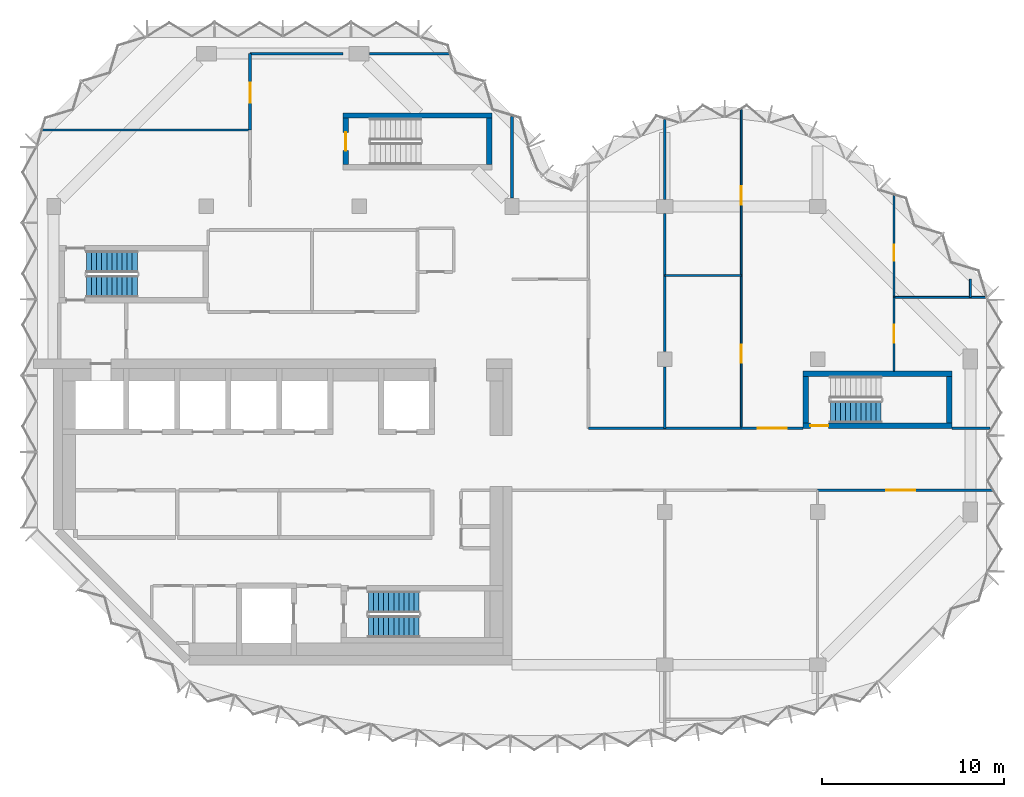
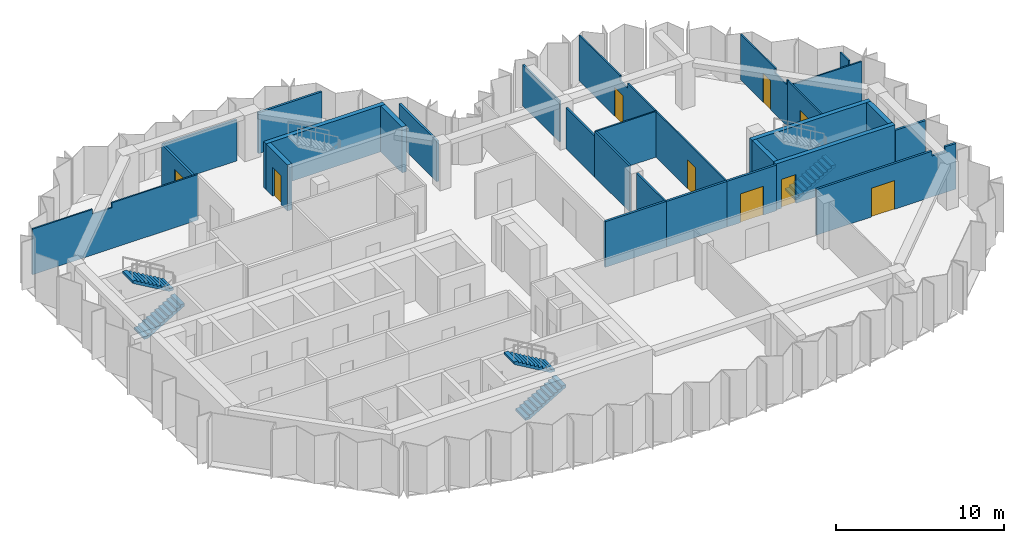
# One storey, part 7 of 10: 28 walls, 9 doors, 5 stair flights, 9 openings, 3 elements without a shape of their own.
"""IFC4 building model written with IfcOpenShell, lengths in metres."""

from ifc_helpers import new_model, si_unit, direction, frame, frame_2d, origin, place, context, subcontext, project, spatial, polyline, rectangle, outline, extrude, material, layer, layer_set, type_object, element, fill, aggregate, save


model = new_model("IFC4")

# Units and contexts
model_context = context("Model", 3, precision=1e-05, world=origin(), true_north=direction((0.0, 1.0)))
body_context = subcontext(model_context, "Body", "Model", "MODEL_VIEW")
ifc_project = project(units=[si_unit("LENGTHUNIT", "METRE"), si_unit("AREAUNIT", "SQUARE_METRE"), si_unit("VOLUMEUNIT", "CUBIC_METRE"), si_unit("PLANEANGLEUNIT", "RADIAN"), si_unit("MASSUNIT", "GRAM", prefix="KILO")], contexts=[model_context])

# Site, building, storey
site_placement = place(None, origin())
site = spatial("IfcSite", under=ifc_project, at=site_placement, CompositionType="ELEMENT")
building_placement = place(site_placement, origin())
building = spatial("IfcBuilding", under=site, at=building_placement, Name="Brevane Broadcast Tower", CompositionType="ELEMENT")
storey_placement = place(building_placement, frame((0.0, 0.0, 233.699951171875)))
storey = spatial("IfcBuildingStorey", under=building, at=storey_placement, Name="L59", CompositionType="ELEMENT", Elevation=233.699951171875)

# Wall
ifc_material_1 = material(Name="Concrete C50/60", Category="concrete")
ifc_layer_1 = layer(ifc_material_1, 0.300048828125)
ifc_layer_set_1 = layer_set([ifc_layer_1], Name="Core wall 300 mm C50/60")
wall_type_1 = type_object("IfcWallType", Name="Core wall 300 mm C50/60", PredefinedType="SHEAR", material=ifc_layer_set_1)
wall_1_placement = place(storey_placement, frame((15.89990234375, 30.199951171875, 0.0), z_axis=(0.0, 0.0, 1.0), x_axis=(1.0, 0.0, 0.0)))
element("IfcWall", 1, at=wall_1_placement, inside=storey, type_object=wall_type_1, Name="L59 stair wall ST-3-N", PredefinedType="SHEAR", context=body_context, shape_type="SweptSolid", body=[
    extrude(rectangle(XDim=8.2001953125, YDim=0.300048828125, at=frame_2d((4.10009765625, 0.0))), origin(), (0.0, 0.0, 1.0), 3.35009765625),
])

# Wall, opening, door
wall_2_placement = place(storey_placement, frame((16.050048828125, 27.5, 0.0), z_axis=(0.0, 0.0, 1.0), x_axis=(0.0, 1.0, 0.0)))
wall_2 = element("IfcWall", 2, at=wall_2_placement, inside=storey, type_object=wall_type_1, Name="L59 stair wall ST-3-W", PredefinedType="SHEAR", context=body_context, shape_type="SweptSolid", body=[
    extrude(rectangle(XDim=2.550048828125, YDim=0.300048828125, at=frame_2d((1.27490234375, 0.0))), origin(), (0.0, 0.0, 1.0), 3.35009765625),
])
opening_1_placement = place(wall_2_placement, frame((0.77490234375, 0.0, 0.0)))
opening_1 = element("IfcOpeningElement", 3, at=opening_1_placement, cuts=wall_2, Name="Opening L59-K12", PredefinedType="OPENING", context=body_context, shape_type="SweptSolid", body=[
    extrude(rectangle(XDim=1.0, YDim=2.10009765625, at=frame_2d((0.5, 1.050048828125))), frame((0.0, 0.159912109375, 0.0), z_axis=(0.0, -1.0, 0.0), x_axis=(1.0, 0.0, 0.0)), (0.0, 0.0, 1.0), 0.320068359375),
])
ifc_material_2 = material(Name="Steel", Category="steel")
door_type_1 = type_object("IfcDoorType", Name="Stair door 1000 x 2100", OperationType="SINGLE_SWING_LEFT", PredefinedType="DOOR", material=ifc_material_2)
door_1_placement = place(opening_1_placement, origin())
door_1 = element("IfcDoor", 4, at=door_1_placement, inside=storey, type_object=door_type_1, Name="Door L59-K12", OperationType="SINGLE_SWING_LEFT", OverallHeight=2.10009765625, OverallWidth=1.0, PredefinedType="DOOR", context=body_context, shape_type="SweptSolid", body=[
    extrude(rectangle(XDim=1.0, YDim=2.10009765625, at=frame_2d((0.5, 1.050048828125))), frame((0.0, 0.02490234375, 0.0), z_axis=(0.0, -1.0, 0.0), x_axis=(1.0, 0.0, 0.0)), (0.0, 0.0, 1.0), 0.050048828125),
])
fill(opening_1, door_1)

# Wall
wall_3_placement = place(storey_placement, frame((23.949951171875, 27.5, 0.0), z_axis=(0.0, 0.0, 1.0), x_axis=(0.0, 1.0, 0.0)))
element("IfcWall", 5, at=wall_3_placement, inside=storey, type_object=wall_type_1, Name="L59 stair wall ST-3-E", PredefinedType="SHEAR", context=body_context, shape_type="SweptSolid", body=[
    extrude(rectangle(XDim=2.550048828125, YDim=0.300048828125, at=frame_2d((1.27490234375, 0.0))), origin(), (0.0, 0.0, 1.0), 3.35009765625),
])

# Wall, opening, door
wall_4_placement = place(storey_placement, frame((49.39990234375, 13.14990234375, 0.0), z_axis=(0.0, 0.0, 1.0), x_axis=(-1.0, 0.0, 0.0)))
wall_4 = element("IfcWall", 6, at=wall_4_placement, inside=storey, type_object=wall_type_1, Name="L59 stair wall ST-4-S", PredefinedType="SHEAR", context=body_context, shape_type="SweptSolid", body=[
    extrude(rectangle(XDim=8.199951171875, YDim=0.300048828125, at=frame_2d((4.10009765625, 0.0))), origin(), (0.0, 0.0, 1.0), 3.35009765625),
])
opening_2_placement = place(wall_4_placement, frame((6.800048828125, 0.0, 0.0)))
opening_2 = element("IfcOpeningElement", 7, at=opening_2_placement, cuts=wall_4, Name="Opening L59-K13", PredefinedType="OPENING", context=body_context, shape_type="SweptSolid", body=[
    extrude(rectangle(XDim=1.0, YDim=2.10009765625, at=frame_2d((0.5, 1.050048828125))), frame((0.0, 0.159912109375, 0.0), z_axis=(0.0, -1.0, 0.0), x_axis=(1.0, 0.0, 0.0)), (0.0, 0.0, 1.0), 0.320068359375),
])
door_2_placement = place(opening_2_placement, origin())
door_2 = element("IfcDoor", 8, at=door_2_placement, inside=storey, type_object=door_type_1, Name="Door L59-K13", OperationType="SINGLE_SWING_RIGHT", OverallHeight=2.10009765625, OverallWidth=1.0, PredefinedType="DOOR", context=body_context, shape_type="SweptSolid", body=[
    extrude(rectangle(XDim=1.0, YDim=2.10009765625, at=frame_2d((0.5, 1.050048828125))), frame((0.0, 0.02490234375, 0.0), z_axis=(0.0, -1.0, 0.0), x_axis=(1.0, 0.0, 0.0)), (0.0, 0.0, 1.0), 0.050048828125),
])
fill(opening_2, door_2)

# Walls
wall_5_placement = place(storey_placement, frame((41.199951171875, 16.0, 0.0), z_axis=(0.0, 0.0, 1.0), x_axis=(1.0, 0.0, 0.0)))
element("IfcWall", 9, at=wall_5_placement, inside=storey, type_object=wall_type_1, Name="L59 stair wall ST-4-N", PredefinedType="SHEAR", context=body_context, shape_type="SweptSolid", body=[
    extrude(rectangle(XDim=8.199951171875, YDim=0.300048828125, at=frame_2d((4.10009765625, 0.0))), origin(), (0.0, 0.0, 1.0), 3.35009765625),
])
for number, where, z_axis, x_axis, name in (
    (10, (41.35009765625, 13.300048828125, 0.0), (0.0, 0.0, 1.0), (0.0, 1.0, 0.0), "L59 stair wall ST-4-W"),
    (11, (49.25, 13.300048828125, 0.0), (0.0, 0.0, 1.0), (0.0, 1.0, 0.0), "L59 stair wall ST-4-E"),
):
    element("IfcWall", number, at=place(storey_placement, frame(where, z_axis=z_axis, x_axis=x_axis)), inside=storey, type_object=wall_type_1, Name=name, PredefinedType="SHEAR", context=body_context, shape_type="SweptSolid", body=[
        extrude(rectangle(XDim=2.550048828125, YDim=0.300048828125, at=frame_2d((1.27490234375, 0.0))), origin(), (0.0, 0.0, 1.0), 3.35009765625),
    ])

# Wall, opening, door
ifc_material_3 = material(Name="Gypsum board partition")
ifc_layer_2 = layer(ifc_material_3, 0.10009765625)
ifc_layer_set_2 = layer_set([ifc_layer_2], Name="PARTITION 100 STUD")
wall_type_2 = type_object("IfcWallType", Name="PARTITION 100 STUD", PredefinedType="PARTITIONING", material=ifc_layer_set_2)
wall_6_placement = place(storey_placement, frame((46.199951171875, 20.199951171875, 0.0), z_axis=(0.0, 0.0, 1.0), x_axis=(0.0, -1.0, 0.0)))
wall_6 = element("IfcWall", 12, at=wall_6_placement, inside=storey, type_object=wall_type_2, Name="Partition G18-024", PredefinedType="PARTITIONING", context=body_context, shape_type="SweptSolid", body=[
    extrude(rectangle(XDim=4.050048828125, YDim=0.10009765625, at=frame_2d((2.02490234375, 0.0))), origin(), (0.0, 0.0, 1.0), 3.330078125),
])
opening_3_placement = place(wall_6_placement, frame((1.5, 0.0, 0.0)))
opening_3 = element("IfcOpeningElement", 13, at=opening_3_placement, cuts=wall_6, Name="Opening D29-007", PredefinedType="OPENING", context=body_context, shape_type="SweptSolid", body=[
    extrude(rectangle(XDim=1.0, YDim=2.10009765625, at=frame_2d((0.5, 1.050048828125))), frame((0.0, 0.06005859375, 0.0), z_axis=(0.0, -1.0, 0.0), x_axis=(1.0, 0.0, 0.0)), (0.0, 0.0, 1.0), 0.1201171875),
])
ifc_material_4 = material(Name="Timber door leaf", Category="wood")
door_type_2 = type_object("IfcDoorType", Name="DOOR SINGLE 1000 INTERNAL", OperationType="SINGLE_SWING_LEFT", PredefinedType="DOOR", material=ifc_material_4)
door_3_placement = place(opening_3_placement, origin())
door_3 = element("IfcDoor", 14, at=door_3_placement, inside=storey, type_object=door_type_2, Name="Door D29-007", OperationType="SINGLE_SWING_LEFT", OverallHeight=2.10009765625, OverallWidth=1.0, PredefinedType="DOOR", context=body_context, shape_type="SweptSolid", body=[
    extrude(rectangle(XDim=1.0, YDim=2.10009765625, at=frame_2d((0.5, 1.050048828125))), frame((0.0, 0.02490234375, 0.0), z_axis=(0.0, -1.0, 0.0), x_axis=(1.0, 0.0, 0.0)), (0.0, 0.0, 1.0), 0.050048828125),
])
fill(opening_3, door_3)

wall_7_placement = place(storey_placement, frame((46.199951171875, 25.805419921875, 0.0), z_axis=(0.0, 0.0, 1.0), x_axis=(0.0, -1.0, 0.0)))
wall_7 = element("IfcWall", 15, at=wall_7_placement, inside=storey, type_object=wall_type_2, Name="Partition G18-025", PredefinedType="PARTITIONING", context=body_context, shape_type="SweptSolid", body=[
    extrude(outline(polyline([(0.0, 0.0), (5.60546875, 0.0), (5.60546875, 3.330078125), (5.47119140625, 3.330078125), (5.468994140625, 2.97998046875), (4.1416015625, 2.97998046875), (4.1396484375, 3.330078125), (0.405517578125, 3.330078125), (0.0, 3.330078125), (0.0, 0.0)])), frame((0.0, 0.050048828125, 0.0), z_axis=(0.0, -1.0, 0.0), x_axis=(1.0, 0.0, 0.0)), (0.0, 0.0, 1.0), 0.10009765625),
])
opening_4_placement = place(wall_7_placement, frame((2.705322265625, 0.0, 0.0)))
opening_4 = element("IfcOpeningElement", 16, at=opening_4_placement, cuts=wall_7, Name="Opening D29-008", PredefinedType="OPENING", context=body_context, shape_type="SweptSolid", body=[
    extrude(rectangle(XDim=0.89990234375, YDim=2.10009765625, at=frame_2d((0.449951171875, 1.050048828125))), frame((0.0, 0.06005859375, 0.0), z_axis=(0.0, -1.0, 0.0), x_axis=(1.0, 0.0, 0.0)), (0.0, 0.0, 1.0), 0.1201171875),
])
door_type_3 = type_object("IfcDoorType", Name="DOOR SINGLE 900 INTERNAL", OperationType="SINGLE_SWING_LEFT", PredefinedType="DOOR", material=ifc_material_4)
door_4_placement = place(opening_4_placement, origin())
door_4 = element("IfcDoor", 17, at=door_4_placement, inside=storey, type_object=door_type_3, Name="Door D29-008", OperationType="SINGLE_SWING_LEFT", OverallHeight=2.10009765625, OverallWidth=0.89990234375, PredefinedType="DOOR", context=body_context, shape_type="SweptSolid", body=[
    extrude(rectangle(XDim=0.89990234375, YDim=2.10009765625, at=frame_2d((0.449951171875, 1.050048828125))), frame((0.0, 0.02490234375, 0.0), z_axis=(0.0, -1.0, 0.0), x_axis=(1.0, 0.0, 0.0)), (0.0, 0.0, 1.0), 0.050048828125),
])
fill(opening_4, door_4)

wall_8_placement = place(storey_placement, frame((37.800048828125, 13.0, 0.0), z_axis=(0.0, 0.0, 1.0), x_axis=(0.0, 1.0, 0.0)))
wall_8 = element("IfcWall", 18, at=wall_8_placement, inside=storey, type_object=wall_type_2, Name="Partition G18-026", PredefinedType="PARTITIONING", context=body_context, shape_type="SweptSolid", body=[
    extrude(rectangle(XDim=8.39990234375, YDim=0.10009765625, at=frame_2d((4.199951171875, 0.0))), origin(), (0.0, 0.0, 1.0), 3.330078125),
])
opening_5_placement = place(wall_8_placement, frame((3.60009765625, 0.0, 0.0)))
opening_5 = element("IfcOpeningElement", 19, at=opening_5_placement, cuts=wall_8, Name="Opening D29-009", PredefinedType="OPENING", context=body_context, shape_type="SweptSolid", body=[
    extrude(rectangle(XDim=1.0, YDim=2.10009765625, at=frame_2d((0.5, 1.050048828125))), frame((0.0, 0.06005859375, 0.0), z_axis=(0.0, -1.0, 0.0), x_axis=(1.0, 0.0, 0.0)), (0.0, 0.0, 1.0), 0.1201171875),
])
door_5_placement = place(opening_5_placement, origin())
door_5 = element("IfcDoor", 20, at=door_5_placement, inside=storey, type_object=door_type_2, Name="Door D29-009", OperationType="SINGLE_SWING_LEFT", OverallHeight=2.10009765625, OverallWidth=1.0, PredefinedType="DOOR", context=body_context, shape_type="SweptSolid", body=[
    extrude(rectangle(XDim=1.0, YDim=2.10009765625, at=frame_2d((0.5, 1.050048828125))), frame((0.0, 0.02490234375, 0.0), z_axis=(0.0, -1.0, 0.0), x_axis=(1.0, 0.0, 0.0)), (0.0, 0.0, 1.0), 0.050048828125),
])
fill(opening_5, door_5)

wall_9_placement = place(storey_placement, frame((37.800048828125, 21.39990234375, 0.0), z_axis=(0.0, 0.0, 1.0), x_axis=(0.0, 1.0, 0.0)))
wall_9 = element("IfcWall", 21, at=wall_9_placement, inside=storey, type_object=wall_type_2, Name="Partition G18-027", PredefinedType="PARTITIONING", context=body_context, shape_type="SweptSolid", body=[
    extrude(outline(polyline([(0.0, 0.0), (9.1259765625, 0.0), (9.1259765625, 3.330078125), (8.8427734375, 3.330078125), (4.25, 3.330078125), (4.248046875, 2.97998046875), (3.35205078125, 2.97998046875), (3.35009765625, 3.330078125), (0.0, 3.330078125), (0.0, 0.0)])), frame((0.0, 0.050048828125, 0.0), z_axis=(0.0, -1.0, 0.0), x_axis=(1.0, 0.0, 0.0)), (0.0, 0.0, 1.0), 0.10009765625),
])
opening_6_placement = place(wall_9_placement, frame((3.89990234375, 0.0, 0.0)))
opening_6 = element("IfcOpeningElement", 22, at=opening_6_placement, cuts=wall_9, Name="Opening D29-010", PredefinedType="OPENING", context=body_context, shape_type="SweptSolid", body=[
    extrude(rectangle(XDim=1.0, YDim=2.10009765625, at=frame_2d((0.5, 1.050048828125))), frame((0.0, 0.06005859375, 0.0), z_axis=(0.0, -1.0, 0.0), x_axis=(1.0, 0.0, 0.0)), (0.0, 0.0, 1.0), 0.1201171875),
])
door_6_placement = place(opening_6_placement, origin())
door_6 = element("IfcDoor", 23, at=door_6_placement, inside=storey, type_object=door_type_2, Name="Door D29-010", OperationType="SINGLE_SWING_LEFT", OverallHeight=2.10009765625, OverallWidth=1.0, PredefinedType="DOOR", context=body_context, shape_type="SweptSolid", body=[
    extrude(rectangle(XDim=1.0, YDim=2.10009765625, at=frame_2d((0.5, 1.050048828125))), frame((0.0, 0.02490234375, 0.0), z_axis=(0.0, -1.0, 0.0), x_axis=(1.0, 0.0, 0.0)), (0.0, 0.0, 1.0), 0.050048828125),
])
fill(opening_6, door_6)

# Walls
wall_10_placement = place(storey_placement, frame((46.199951171875, 20.199951171875, 0.0), z_axis=(0.0, 0.0, 1.0), x_axis=(1.0, 0.0, 0.0)))
element("IfcWall", 24, at=wall_10_placement, inside=storey, type_object=wall_type_2, Name="Partition G18-028", PredefinedType="PARTITIONING", context=body_context, shape_type="SweptSolid", body=[
    extrude(rectangle(XDim=5.0478515625, YDim=0.10009765625, at=frame_2d((2.52392578125, 0.0))), origin(), (0.0, 0.0, 1.0), 2.97998046875),
])
wall_11_placement = place(storey_placement, frame((50.39990234375, 20.199951171875, 0.0), z_axis=(0.0, 0.0, 1.0), x_axis=(0.0, 1.0, 0.0)))
element("IfcWall", 25, at=wall_11_placement, inside=storey, type_object=wall_type_2, Name="Partition G18-029", PredefinedType="PARTITIONING", context=body_context, shape_type="SweptSolid", body=[
    extrude(rectangle(XDim=1.0, YDim=0.10009765625, at=frame_2d((0.5, 0.0))), origin(), (0.0, 0.0, 1.0), 3.330078125),
])
wall_12_placement = place(storey_placement, frame((33.60009765625, 21.39990234375, 0.0), z_axis=(0.0, 0.0, 1.0), x_axis=(1.0, 0.0, 0.0)))
element("IfcWall", 26, at=wall_12_placement, inside=storey, type_object=wall_type_2, Name="Partition G18-030", PredefinedType="PARTITIONING", context=body_context, shape_type="SweptSolid", body=[
    extrude(rectangle(XDim=4.199951171875, YDim=0.10009765625, at=frame_2d((2.10009765625, 0.0))), origin(), (0.0, 0.0, 1.0), 3.330078125),
])
wall_13_placement = place(storey_placement, frame((-0.60546875, 29.39990234375, 0.0), z_axis=(0.0, 0.0, 1.0), x_axis=(1.0, 0.0, 0.0)))
element("IfcWall", 27, at=wall_13_placement, inside=storey, type_object=wall_type_2, Name="Partition G18-035", PredefinedType="PARTITIONING", context=body_context, shape_type="SweptSolid", body=[
    extrude(outline(polyline([(0.0, 0.0), (11.405517578125, 0.0), (11.405517578125, 3.330078125), (5.47119140625, 3.330078125), (5.468994140625, 2.97998046875), (4.1416015625, 2.97998046875), (4.1396484375, 3.330078125), (0.405517578125, 3.330078125), (0.0, 3.330078125), (0.0, 0.0)])), frame((0.0, 0.050048828125, 0.0), z_axis=(0.0, -1.0, 0.0), x_axis=(1.0, 0.0, 0.0)), (0.0, 0.0, 1.0), 0.10009765625),
])
ifc_layer_3 = layer(ifc_material_3, 0.125)
ifc_layer_set_3 = layer_set([ifc_layer_3], Name="PARTITION 125 ACOUSTIC")
wall_type_3 = type_object("IfcWallType", Name="PARTITION 125 ACOUSTIC", PredefinedType="PARTITIONING", material=ifc_layer_set_3)
wall_14_placement = place(storey_placement, frame((33.60009765625, 21.39990234375, 0.0), z_axis=(0.0, 0.0, 1.0), x_axis=(0.0, -1.0, 0.0)))
element("IfcWall", 28, at=wall_14_placement, inside=storey, type_object=wall_type_3, Name="Partition G18-020", PredefinedType="PARTITIONING", context=body_context, shape_type="SweptSolid", body=[
    extrude(rectangle(XDim=4.179931640625, YDim=0.125, at=frame_2d((2.08984375, 0.0))), origin(), (0.0, 0.0, 1.0), 3.330078125),
])
wall_15_placement = place(storey_placement, frame((33.60009765625, 16.3798828125, 0.0), z_axis=(0.0, 0.0, 1.0), x_axis=(0.0, -1.0, 0.0)))
element("IfcWall", 29, at=wall_15_placement, inside=storey, type_object=wall_type_3, Name="Partition G18-021", PredefinedType="PARTITIONING", context=body_context, shape_type="SweptSolid", body=[
    extrude(rectangle(XDim=3.3798828125, YDim=0.125, at=frame_2d((1.68994140625, 0.0))), origin(), (0.0, 0.0, 1.0), 3.330078125),
])
wall_16_placement = place(storey_placement, frame((33.60009765625, 29.98828125, 0.0), z_axis=(0.0, 0.0, 1.0), x_axis=(0.0, -1.0, 0.0)))
element("IfcWall", 30, at=wall_16_placement, inside=storey, type_object=wall_type_3, Name="Partition G18-022", PredefinedType="PARTITIONING", context=body_context, shape_type="SweptSolid", body=[
    extrude(rectangle(XDim=4.393310546875, YDim=0.125, at=frame_2d((2.19677734375, 0.0))), origin(), (0.0, 0.0, 1.0), 2.97998046875),
])
wall_17_placement = place(storey_placement, frame((33.60009765625, 24.804931640625, 0.0), z_axis=(0.0, 0.0, 1.0), x_axis=(0.0, -1.0, 0.0)))
element("IfcWall", 31, at=wall_17_placement, inside=storey, type_object=wall_type_3, Name="Partition G18-023", PredefinedType="PARTITIONING", context=body_context, shape_type="SweptSolid", body=[
    extrude(rectangle(XDim=3.405029296875, YDim=0.125, at=frame_2d((1.70263671875, 0.0))), origin(), (0.0, 0.0, 1.0), 2.97998046875),
])
ifc_layer_4 = layer(ifc_material_3, 0.14990234375)
ifc_layer_set_4 = layer_set([ifc_layer_4], Name="PARTITION 150 EI 60")
wall_type_4 = type_object("IfcWallType", Name="PARTITION 150 EI 60", PredefinedType="PARTITIONING", material=ifc_layer_set_4)
wall_18_placement = place(storey_placement, frame((25.199951171875, 25.669921875, 0.0), z_axis=(0.0, 0.0, 1.0), x_axis=(0.0, 1.0, 0.0)))
element("IfcWall", 32, at=wall_18_placement, inside=storey, type_object=wall_type_4, Name="Partition G18-005", PredefinedType="PARTITIONING", context=body_context, shape_type="SweptSolid", body=[
    extrude(rectangle(XDim=4.486572265625, YDim=0.14990234375, at=frame_2d((2.2431640625, 0.0))), origin(), (0.0, 0.0, 1.0), 2.97998046875),
])

# Wall, opening, door
wall_19_placement = place(storey_placement, frame((51.607177734375, 9.60009765625, 0.0), z_axis=(0.0, 0.0, 1.0), x_axis=(-1.0, 0.0, 0.0)))
wall_19 = element("IfcWall", 33, at=wall_19_placement, inside=storey, type_object=wall_type_4, Name="Partition G18-008", PredefinedType="PARTITIONING", context=body_context, shape_type="SweptSolid", body=[
    extrude(outline(polyline([(0.0, 0.0), (9.607177734375, 0.0), (9.607177734375, 3.330078125), (1.656982421875, 3.330078125), (1.655029296875, 2.97998046875), (0.759033203125, 2.97998046875), (0.757080078125, 3.330078125), (0.127197265625, 3.330078125), (0.0, 3.330078125), (0.0, 0.0)])), frame((0.0, 0.074951171875, 0.0), z_axis=(0.0, -1.0, 0.0), x_axis=(1.0, 0.0, 0.0)), (0.0, 0.0, 1.0), 0.14990234375),
])
opening_7_placement = place(wall_19_placement, frame((4.22705078125, 0.0, 0.0)))
opening_7 = element("IfcOpeningElement", 34, at=opening_7_placement, cuts=wall_19, Name="Opening D29-004", PredefinedType="OPENING", context=body_context, shape_type="SweptSolid", body=[
    extrude(rectangle(XDim=1.60009765625, YDim=2.10009765625, at=frame_2d((0.800048828125, 1.050048828125))), frame((0.0, 0.0849609375, 0.0), z_axis=(0.0, -1.0, 0.0), x_axis=(1.0, 0.0, 0.0)), (0.0, 0.0, 1.0), 0.169921875),
])
ifc_material_5 = material(Name="Fire-rated timber door leaf", Category="wood")
door_type_4 = type_object("IfcDoorType", Name="DOOR DOUBLE 1600 FD30S", OperationType="DOUBLE_DOOR_SINGLE_SWING", PredefinedType="DOOR", material=ifc_material_5)
door_7_placement = place(opening_7_placement, origin())
door_7 = element("IfcDoor", 35, at=door_7_placement, inside=storey, type_object=door_type_4, Name="Door D29-004", OperationType="DOUBLE_DOOR_SINGLE_SWING", OverallHeight=2.10009765625, OverallWidth=1.60009765625, PredefinedType="DOOR", context=body_context, shape_type="SweptSolid", body=[
    extrude(rectangle(XDim=1.60009765625, YDim=2.10009765625, at=frame_2d((0.800048828125, 1.050048828125))), frame((0.0, 0.02490234375, 0.0), z_axis=(0.0, -1.0, 0.0), x_axis=(1.0, 0.0, 0.0)), (0.0, 0.0, 1.0), 0.050048828125),
])
fill(opening_7, door_7)

# Wall
wall_20_placement = place(storey_placement, frame((29.39990234375, 13.0, 0.0), z_axis=(0.0, 0.0, 1.0), x_axis=(1.0, 0.0, 0.0)))
element("IfcWall", 36, at=wall_20_placement, inside=storey, type_object=wall_type_4, Name="Partition G18-009", PredefinedType="PARTITIONING", context=body_context, shape_type="SweptSolid", body=[
    extrude(rectangle(XDim=4.2001953125, YDim=0.14990234375, at=frame_2d((2.10009765625, 0.0))), origin(), (0.0, 0.0, 1.0), 3.330078125),
])

# Wall, opening, door
wall_21_placement = place(storey_placement, frame((37.800048828125, 13.0, 0.0), z_axis=(0.0, 0.0, 1.0), x_axis=(1.0, 0.0, 0.0)))
wall_21 = element("IfcWall", 37, at=wall_21_placement, inside=storey, type_object=wall_type_4, Name="Partition G18-010", PredefinedType="PARTITIONING", context=body_context, shape_type="SweptSolid", body=[
    extrude(rectangle(XDim=3.39990234375, YDim=0.14990234375, at=frame_2d((1.699951171875, 0.0))), origin(), (0.0, 0.0, 1.0), 3.330078125),
])
opening_8_placement = place(wall_21_placement, frame((0.89990234375, 0.0, 0.0)))
opening_8 = element("IfcOpeningElement", 38, at=opening_8_placement, cuts=wall_21, Name="Opening D29-006", PredefinedType="OPENING", context=body_context, shape_type="SweptSolid", body=[
    extrude(rectangle(XDim=1.60009765625, YDim=2.10009765625, at=frame_2d((0.800048828125, 1.050048828125))), frame((0.0, 0.0849609375, 0.0), z_axis=(0.0, -1.0, 0.0), x_axis=(1.0, 0.0, 0.0)), (0.0, 0.0, 1.0), 0.169921875),
])
door_8_placement = place(opening_8_placement, origin())
door_8 = element("IfcDoor", 39, at=door_8_placement, inside=storey, type_object=door_type_4, Name="Door D29-006", OperationType="DOUBLE_DOOR_SINGLE_SWING", OverallHeight=2.10009765625, OverallWidth=1.60009765625, PredefinedType="DOOR", context=body_context, shape_type="SweptSolid", body=[
    extrude(rectangle(XDim=1.60009765625, YDim=2.10009765625, at=frame_2d((0.800048828125, 1.050048828125))), frame((0.0, 0.02490234375, 0.0), z_axis=(0.0, -1.0, 0.0), x_axis=(1.0, 0.0, 0.0)), (0.0, 0.0, 1.0), 0.050048828125),
])
fill(opening_8, door_8)

# Walls
wall_22_placement = place(storey_placement, frame((49.39990234375, 13.0, 0.0), z_axis=(0.0, 0.0, 1.0), x_axis=(1.0, 0.0, 0.0)))
element("IfcWall", 40, at=wall_22_placement, inside=storey, type_object=wall_type_4, Name="Partition G18-011", PredefinedType="PARTITIONING", context=body_context, shape_type="SweptSolid", body=[
    extrude(rectangle(XDim=2.080078125, YDim=0.14990234375, at=frame_2d((1.0400390625, 0.0))), origin(), (0.0, 0.0, 1.0), 2.97998046875),
])
wall_23_placement = place(storey_placement, frame((33.60009765625, 13.0, 0.0), z_axis=(0.0, 0.0, 1.0), x_axis=(1.0, 0.0, 0.0)))
element("IfcWall", 41, at=wall_23_placement, inside=storey, type_object=wall_type_4, Name="Partition G18-012", PredefinedType="PARTITIONING", context=body_context, shape_type="SweptSolid", body=[
    extrude(rectangle(XDim=4.199951171875, YDim=0.14990234375, at=frame_2d((2.10009765625, 0.0))), origin(), (0.0, 0.0, 1.0), 3.330078125),
])

# Wall, opening, door
wall_24_placement = place(storey_placement, frame((10.800048828125, 29.39990234375, 0.0), z_axis=(0.0, 0.0, 1.0), x_axis=(0.0, 1.0, 0.0)))
wall_24 = element("IfcWall", 42, at=wall_24_placement, inside=storey, type_object=wall_type_4, Name="Partition G18-032", PredefinedType="PARTITIONING", context=body_context, shape_type="SweptSolid", body=[
    extrude(rectangle(XDim=4.2001953125, YDim=0.14990234375, at=frame_2d((2.10009765625, 0.0))), origin(), (0.0, 0.0, 1.0), 2.97998046875),
])
opening_9_placement = place(wall_24_placement, frame((1.5, 0.0, 0.0)))
opening_9 = element("IfcOpeningElement", 43, at=opening_9_placement, cuts=wall_24, Name="Opening D29-012", PredefinedType="OPENING", context=body_context, shape_type="SweptSolid", body=[
    extrude(rectangle(XDim=1.10009765625, YDim=2.10009765625, at=frame_2d((0.550048828125, 1.050048828125))), frame((0.0, 0.0849609375, 0.0), z_axis=(0.0, -1.0, 0.0), x_axis=(1.0, 0.0, 0.0)), (0.0, 0.0, 1.0), 0.169921875),
])
door_type_5 = type_object("IfcDoorType", Name="DOOR SINGLE 1100 FD30S", OperationType="SINGLE_SWING_LEFT", PredefinedType="DOOR", material=ifc_material_5)
door_9_placement = place(opening_9_placement, origin())
door_9 = element("IfcDoor", 44, at=door_9_placement, inside=storey, type_object=door_type_5, Name="Door D29-012", OperationType="SINGLE_SWING_LEFT", OverallHeight=2.10009765625, OverallWidth=1.10009765625, PredefinedType="DOOR", context=body_context, shape_type="SweptSolid", body=[
    extrude(rectangle(XDim=1.10009765625, YDim=2.10009765625, at=frame_2d((0.550048828125, 1.050048828125))), frame((0.0, 0.02490234375, 0.0), z_axis=(0.0, -1.0, 0.0), x_axis=(1.0, 0.0, 0.0)), (0.0, 0.0, 1.0), 0.050048828125),
])
fill(opening_9, door_9)

# Walls
wall_25_placement = place(storey_placement, frame((10.800048828125, 33.60009765625, 0.0), z_axis=(0.0, 0.0, 1.0), x_axis=(1.0, 0.0, 0.0)))
element("IfcWall", 45, at=wall_25_placement, inside=storey, type_object=wall_type_4, Name="Partition G18-033", PredefinedType="PARTITIONING", context=body_context, shape_type="SweptSolid", body=[
    extrude(outline(polyline([(0.0, 0.0), (5.099853515625, 0.0), (5.10009765625, 2.97998046875), (0.0, 2.97998046875), (0.0, 0.0)])), frame((0.0, 0.074951171875, 0.0), z_axis=(0.0, -1.0, 0.0), x_axis=(1.0, 0.0, 0.0)), (0.0, 0.0, 1.0), 0.14990234375),
])
wall_26_placement = place(storey_placement, frame((17.3701171875, 33.60009765625, 0.0), z_axis=(0.0, 0.0, 1.0), x_axis=(1.0, 0.0, 0.0)))
element("IfcWall", 46, at=wall_26_placement, inside=storey, type_object=wall_type_4, Name="Partition G18-034", PredefinedType="PARTITIONING", context=body_context, shape_type="SweptSolid", body=[
    extrude(rectangle(XDim=4.38623046875, YDim=0.14990234375, at=frame_2d((2.193115234375, 0.0))), origin(), (0.0, 0.0, 1.0), 2.97998046875),
])

# Stair, stair flights
stair_type = type_object("IfcStairType", Name="Exit stair 22 risers", PredefinedType="HALF_TURN_STAIR", material=ifc_material_1)
stair_1_placement = place(storey_placement, origin())
stair_1 = element("IfcStair", 47, at=stair_1_placement, inside=storey, type_object=stair_type, Name="L59 Exit stair ST-1", PredefinedType="HALF_TURN_STAIR")
stair_flight_type = type_object("IfcStairFlightType", Name="Exit stair flight 22 risers", PredefinedType="STRAIGHT", material=ifc_material_1)
stair_flight_1_placement = place(storey_placement, frame((1.800048828125, 20.800048828125, 0.0), z_axis=(0.0, 0.0, 1.0), x_axis=(1.0, 0.0, 0.0)))
stair_flight_1 = element("IfcStairFlight", 48, at=stair_flight_1_placement, type_object=stair_flight_type, Name="ST-1 flight 1", NumberOfRisers=11, NumberOfTreads=10, PredefinedType="STRAIGHT", RiserHeight=0.163636364, TreadLength=0.28, context=body_context, shape_type="SweptSolid", body=[
    extrude(outline(polyline([(0.0, 0.0), (0.0, 0.16357421875), (0.280029296875, 0.16357421875), (0.280029296875, 0.327392578125), (0.56005859375, 0.327392578125), (0.56005859375, 0.490966796875), (0.840087890625, 0.490966796875), (0.840087890625, 0.654541015625), (1.1201171875, 0.654541015625), (1.1201171875, 0.818115234375), (1.39990234375, 0.818115234375), (1.39990234375, 0.98193359375), (1.679931640625, 0.98193359375), (1.679931640625, 1.1455078125), (1.9599609375, 1.1455078125), (1.9599609375, 1.30908203125), (2.239990234375, 1.30908203125), (2.239990234375, 1.47265625), (2.52001953125, 1.47265625), (2.52001953125, 1.636474609375), (2.800048828125, 1.636474609375), (2.800048828125, 1.800048828125), (2.800048828125, 1.462646484375), (0.297119140625, 0.0), (0.0, 0.0)])), frame((0.0, 0.60009765625, 0.0), z_axis=(0.0, -1.0, 0.0), x_axis=(1.0, 0.0, 0.0)), (0.0, 0.0, 1.0), 1.199951171875),
])
stair_flight_2_placement = place(storey_placement, frame((4.60009765625, 22.14990234375, 1.800048828125), z_axis=(0.0, 0.0, 1.0), x_axis=(-1.0, 0.0, 0.0)))
stair_flight_2 = element("IfcStairFlight", 49, at=stair_flight_2_placement, type_object=stair_flight_type, Name="ST-1 flight 2", NumberOfRisers=11, NumberOfTreads=10, PredefinedType="STRAIGHT", RiserHeight=0.163636364, TreadLength=0.28, context=body_context, shape_type="SweptSolid", body=[
    extrude(outline(polyline([(0.0, 0.0), (0.0, 0.16357421875), (0.280029296875, 0.16357421875), (0.280029296875, 0.327392578125), (0.56005859375, 0.327392578125), (0.56005859375, 0.490966796875), (0.840087890625, 0.490966796875), (0.840087890625, 0.654541015625), (1.1201171875, 0.654541015625), (1.1201171875, 0.818115234375), (1.39990234375, 0.818115234375), (1.39990234375, 0.98193359375), (1.679931640625, 0.98193359375), (1.679931640625, 1.1455078125), (1.9599609375, 1.1455078125), (1.9599609375, 1.30908203125), (2.239990234375, 1.30908203125), (2.239990234375, 1.47265625), (2.52001953125, 1.47265625), (2.52001953125, 1.636474609375), (2.800048828125, 1.636474609375), (2.800048828125, 1.800048828125), (2.800048828125, 1.462646484375), (0.297119140625, 0.0), (0.0, 0.0)])), frame((0.0, 0.60009765625, 0.0), z_axis=(0.0, -1.0, 0.0), x_axis=(1.0, 0.0, 0.0)), (0.0, 0.0, 1.0), 1.199951171875),
])
aggregate(stair_1, [stair_flight_1, stair_flight_2])

stair_2_placement = place(storey_placement, origin())
stair_2 = element("IfcStair", 50, at=stair_2_placement, inside=storey, type_object=stair_type, Name="L59 Exit stair ST-2", PredefinedType="HALF_TURN_STAIR")
stair_flight_3_placement = place(storey_placement, frame((17.300048828125, 2.10009765625, 0.0), z_axis=(0.0, 0.0, 1.0), x_axis=(1.0, 0.0, 0.0)))
stair_flight_3 = element("IfcStairFlight", 51, at=stair_flight_3_placement, type_object=stair_flight_type, Name="ST-2 flight 1", NumberOfRisers=11, NumberOfTreads=10, PredefinedType="STRAIGHT", RiserHeight=0.163636364, TreadLength=0.28, context=body_context, shape_type="SweptSolid", body=[
    extrude(outline(polyline([(0.0, 0.0), (0.0, 0.16357421875), (0.280029296875, 0.16357421875), (0.280029296875, 0.327392578125), (0.56005859375, 0.327392578125), (0.56005859375, 0.490966796875), (0.840087890625, 0.490966796875), (0.840087890625, 0.654541015625), (1.1201171875, 0.654541015625), (1.1201171875, 0.818115234375), (1.39990234375, 0.818115234375), (1.39990234375, 0.98193359375), (1.679931640625, 0.98193359375), (1.679931640625, 1.1455078125), (1.9599609375, 1.1455078125), (1.9599609375, 1.30908203125), (2.239990234375, 1.30908203125), (2.239990234375, 1.47265625), (2.52001953125, 1.47265625), (2.52001953125, 1.636474609375), (2.800048828125, 1.636474609375), (2.800048828125, 1.800048828125), (2.800048828125, 1.462646484375), (0.297119140625, 0.0), (0.0, 0.0)])), frame((0.0, 0.60009765625, 0.0), z_axis=(0.0, -1.0, 0.0), x_axis=(1.0, 0.0, 0.0)), (0.0, 0.0, 1.0), 1.199951171875),
])
stair_flight_4_placement = place(storey_placement, frame((20.10009765625, 3.449951171875, 1.800048828125), z_axis=(0.0, 0.0, 1.0), x_axis=(-1.0, 0.0, 0.0)))
stair_flight_4 = element("IfcStairFlight", 52, at=stair_flight_4_placement, type_object=stair_flight_type, Name="ST-2 flight 2", NumberOfRisers=11, NumberOfTreads=10, PredefinedType="STRAIGHT", RiserHeight=0.163636364, TreadLength=0.28, context=body_context, shape_type="SweptSolid", body=[
    extrude(outline(polyline([(0.0, 0.0), (0.0, 0.16357421875), (0.280029296875, 0.16357421875), (0.280029296875, 0.327392578125), (0.56005859375, 0.327392578125), (0.56005859375, 0.490966796875), (0.840087890625, 0.490966796875), (0.840087890625, 0.654541015625), (1.1201171875, 0.654541015625), (1.1201171875, 0.818115234375), (1.39990234375, 0.818115234375), (1.39990234375, 0.98193359375), (1.679931640625, 0.98193359375), (1.679931640625, 1.1455078125), (1.9599609375, 1.1455078125), (1.9599609375, 1.30908203125), (2.239990234375, 1.30908203125), (2.239990234375, 1.47265625), (2.52001953125, 1.47265625), (2.52001953125, 1.636474609375), (2.800048828125, 1.636474609375), (2.800048828125, 1.800048828125), (2.800048828125, 1.462646484375), (0.297119140625, 0.0), (0.0, 0.0)])), frame((0.0, 0.60009765625, 0.0), z_axis=(0.0, -1.0, 0.0), x_axis=(1.0, 0.0, 0.0)), (0.0, 0.0, 1.0), 1.199951171875),
])
aggregate(stair_2, [stair_flight_3, stair_flight_4])

# Stair, stair flight
stair_3_placement = place(storey_placement, origin())
stair_3 = element("IfcStair", 53, at=stair_3_placement, inside=storey, type_object=stair_type, Name="L59 Exit stair ST-4", PredefinedType="HALF_TURN_STAIR")
stair_flight_5_placement = place(storey_placement, frame((42.699951171875, 13.89990234375, 0.0), z_axis=(0.0, 0.0, 1.0), x_axis=(1.0, 0.0, 0.0)))
stair_flight_5 = element("IfcStairFlight", 54, at=stair_flight_5_placement, type_object=stair_flight_type, Name="ST-4 flight 1", NumberOfRisers=11, NumberOfTreads=10, PredefinedType="STRAIGHT", RiserHeight=0.163636364, TreadLength=0.28, context=body_context, shape_type="SweptSolid", body=[
    extrude(outline(polyline([(0.0, 0.0), (0.0, 0.16357421875), (0.280029296875, 0.16357421875), (0.280029296875, 0.327392578125), (0.56005859375, 0.327392578125), (0.56005859375, 0.490966796875), (0.840087890625, 0.490966796875), (0.840087890625, 0.654541015625), (1.1201171875, 0.654541015625), (1.1201171875, 0.818115234375), (1.39990234375, 0.818115234375), (1.39990234375, 0.98193359375), (1.679931640625, 0.98193359375), (1.679931640625, 1.1455078125), (1.9599609375, 1.1455078125), (1.9599609375, 1.30908203125), (2.239990234375, 1.30908203125), (2.239990234375, 1.47265625), (2.52001953125, 1.47265625), (2.52001953125, 1.636474609375), (2.800048828125, 1.636474609375), (2.800048828125, 1.800048828125), (2.800048828125, 1.462646484375), (0.297119140625, 0.0), (0.0, 0.0)])), frame((0.0, 0.60009765625, 0.0), z_axis=(0.0, -1.0, 0.0), x_axis=(1.0, 0.0, 0.0)), (0.0, 0.0, 1.0), 1.199951171875),
])
aggregate(stair_3, [stair_flight_5])

save(model, "model.ifc")
